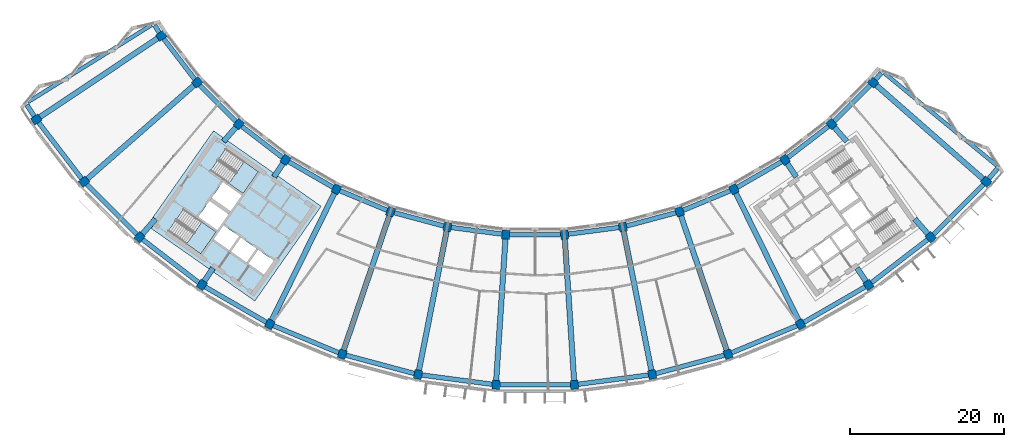
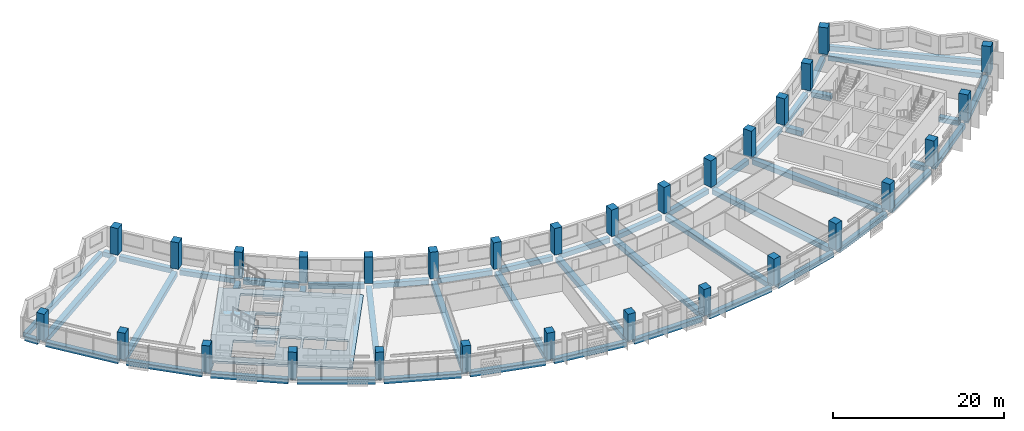
# One storey, part 1 of 27: 53 beams, 30 columns, 3 slabs, 2 elements without a shape of their own.
"""IFC4 building model written with IfcOpenShell, lengths in metres."""

from ifc_helpers import new_model, si_unit, direction, frame, origin, origin_2d, place, context, subcontext, project, spatial, polyline, rectangle, outline, extrude, material, layer, layer_set, material_profile, profile_set, type_object, element, aggregate, save


model = new_model("IFC4")

# Units and contexts
model_context = context("Model", 3, precision=1e-05, world=origin(), true_north=direction((0.0, 1.0)))
body_context = subcontext(model_context, "Body", "Model", "MODEL_VIEW")
ifc_project = project(units=[si_unit("LENGTHUNIT", "METRE"), si_unit("AREAUNIT", "SQUARE_METRE"), si_unit("VOLUMEUNIT", "CUBIC_METRE"), si_unit("PLANEANGLEUNIT", "RADIAN"), si_unit("MASSUNIT", "GRAM", prefix="KILO")], contexts=[model_context])

# Site, building, storey
site_placement = place(None, origin())
site = spatial("IfcSite", under=ifc_project, at=site_placement, CompositionType="ELEMENT")
building_placement = place(site_placement, origin())
building = spatial("IfcBuilding", under=site, at=building_placement, Name="Qamariyya Broadcast Tower", CompositionType="ELEMENT")
storey_placement = place(building_placement, frame((0.0, 0.0, 222.699951171875)))
storey = spatial("IfcBuildingStorey", under=building, at=storey_placement, Name="L53", CompositionType="ELEMENT", Elevation=222.699951171875)

# Columns
ifc_material_1 = material(Name="Concrete C60/75", Category="concrete")
ifc_material_profile_1 = material_profile(ifc_material_1, rectangle(XDim=1.0, YDim=1.14990234375, at=origin_2d()))
ifc_profile_set_1 = profile_set([ifc_material_profile_1], Name="Concrete C60/75")
column_type = type_object("IfcColumnType", Name="RC column 1000 x 1150 C60/75", PredefinedType="COLUMN", material=ifc_profile_set_1)
for number, where, z_axis, x_axis, name in (
    (1, (-48.43310546875, -32.362060546875, 0.0), (0.0, 0.0, 1.0), (0.55557023302, -0.831469612303, 0.0), "Column C11 L53 B-R03"),
    (2, (-64.646728515625, -43.195556640625, 0.0), (0.0, 0.0, 1.0), (0.55557023302, -0.831469612303, 0.0), "Column C11 L53 C-R03"),
    (3, (-43.794677734375, -38.406982421875, 0.0), (0.0, 0.0, 1.0), (0.6593458151, -0.751839807479, 0.0), "Column C11 L53 B-R04"),
    (4, (-58.45556640625, -51.26416015625, 0.0), (0.0, 0.0, 1.0), (0.6593458151, -0.751839807479, 0.0), "Column C11 L53 C-R04"),
    (5, (-38.406982421875, -43.794677734375, 0.0), (0.0, 0.0, 1.0), (0.751839807479, -0.6593458151, 0.0), "Column C11 L53 B-R05"),
    (6, (-51.26416015625, -58.45556640625, 0.0), (0.0, 0.0, 1.0), (0.751839807479, -0.6593458151, 0.0), "Column C11 L53 C-R05"),
    (7, (-32.362060546875, -48.43310546875, 0.0), (0.0, 0.0, 1.0), (0.831469612303, -0.55557023302, 0.0), "Column C11 L53 B-R06"),
    (8, (-43.195556640625, -64.646728515625, 0.0), (0.0, 0.0, 1.0), (0.831469612303, -0.55557023302, 0.0), "Column C11 L53 C-R06"),
    (9, (-25.763427734375, -52.242919921875, 0.0), (0.0, 0.0, 1.0), (0.896872741533, -0.442288690219, 0.0), "Column C11 L53 B-R07"),
    (10, (-34.387939453125, -69.73193359375, 0.0), (0.0, 0.0, 1.0), (0.896872741533, -0.442288690219, 0.0), "Column C11 L53 C-R07"),
    (11, (-18.723876953125, -55.15869140625, 0.0), (0.0, 0.0, 1.0), (0.946930129495, -0.321439465303, 0.0), "Column C11 L53 B-R08"),
    (12, (-24.991943359375, -73.623779296875, 0.0), (0.0, 0.0, 1.0), (0.946930129495, -0.321439465303, 0.0), "Column C11 L53 C-R08"),
    (13, (-11.364013671875, -57.130859375, 0.0), (0.0, 0.0, 1.0), (0.980785280403, -0.195090322016, 0.0), "Column C11 L53 B-R09"),
    (14, (-15.168212890625, -76.256103515625, 0.0), (0.0, 0.0, 1.0), (0.980785280403, -0.195090322016, 0.0), "Column C11 L53 C-R09"),
    (15, (-3.809814453125, -58.125244140625, 0.0), (0.0, 0.0, 1.0), (0.997858923239, -0.06540312923, 0.0), "Column C11 L53 B-R10"),
    (16, (-5.085205078125, -77.58349609375, 0.0), (0.0, 0.0, 1.0), (0.997858923239, -0.06540312923, 0.0), "Column C11 L53 C-R10"),
    (17, (3.809814453125, -58.125244140625, 0.0), (0.0, 0.0, 1.0), (0.997858923239, 0.06540312923, 0.0), "Column C11 L53 B-R11"),
    (18, (5.085205078125, -77.58349609375, 0.0), (0.0, 0.0, 1.0), (0.997858923239, 0.06540312923, 0.0), "Column C11 L53 C-R11"),
    (19, (11.364013671875, -57.130859375, 0.0), (0.0, 0.0, 1.0), (0.980785280403, 0.195090322016, 0.0), "Column C11 L53 B-R12"),
    (20, (15.168212890625, -76.256103515625, 0.0), (0.0, 0.0, 1.0), (0.980785280403, 0.195090322016, 0.0), "Column C11 L53 C-R12"),
    (21, (18.723876953125, -55.15869140625, 0.0), (0.0, 0.0, 1.0), (0.946930129495, 0.321439465303, 0.0), "Column C11 L53 B-R13"),
    (22, (24.991943359375, -73.623779296875, 0.0), (0.0, 0.0, 1.0), (0.946930129495, 0.321439465303, 0.0), "Column C11 L53 C-R13"),
    (23, (25.763427734375, -52.242919921875, 0.0), (0.0, 0.0, 1.0), (0.896872741533, 0.442288690219, 0.0), "Column C11 L53 B-R14"),
    (24, (34.387939453125, -69.73193359375, 0.0), (0.0, 0.0, 1.0), (0.896872741533, 0.442288690219, 0.0), "Column C11 L53 C-R14"),
    (25, (32.362060546875, -48.43310546875, 0.0), (0.0, 0.0, 1.0), (0.831469612303, 0.55557023302, 0.0), "Column C11 L53 B-R15"),
    (26, (43.195556640625, -64.646728515625, 0.0), (0.0, 0.0, 1.0), (0.831469612303, 0.55557023302, 0.0), "Column C11 L53 C-R15"),
    (27, (38.406982421875, -43.794677734375, 0.0), (0.0, 0.0, 1.0), (0.751839807479, 0.6593458151, 0.0), "Column C11 L53 B-R16"),
    (28, (51.26416015625, -58.45556640625, 0.0), (0.0, 0.0, 1.0), (0.751839807479, 0.6593458151, 0.0), "Column C11 L53 C-R16"),
    (29, (43.794677734375, -38.406982421875, 0.0), (0.0, 0.0, 1.0), (0.6593458151, 0.751839807479, 0.0), "Column C11 L53 B-R17"),
    (30, (58.45556640625, -51.26416015625, 0.0), (0.0, 0.0, 1.0), (0.6593458151, 0.751839807479, 0.0), "Column C11 L53 C-R17"),
):
    element("IfcColumn", number, at=place(storey_placement, frame(where, z_axis=z_axis, x_axis=x_axis)), inside=storey, type_object=column_type, Name=name, PredefinedType="COLUMN", context=body_context, shape_type="SweptSolid", body=[
        extrude(rectangle(XDim=1.0, YDim=1.14990234375, at=origin_2d()), origin(), (0.0, 0.0, 1.0), 3.800048828125),
    ])

# Beams
ifc_material_2 = material(Name="Concrete C40/50", Category="concrete")
ifc_material_profile_2 = material_profile(ifc_material_2, rectangle(XDim=0.60009765625, YDim=0.699951171875, at=origin_2d()))
ifc_profile_set_2 = profile_set([ifc_material_profile_2], Name="Concrete C40/50")
beam_type_1 = type_object("IfcBeamType", Name="RC edge beam 600 x 700 C40/50", PredefinedType="SPANDREL", material=ifc_profile_set_2)
for number, where, z_axis, x_axis, name in (
    (31, (-48.128173828125, -32.759521484375, -0.64990234375), (0.608788546151, -0.79333253184, 0.0), (0.79333253184, 0.608788546151, 0.0), "Edge beam B20 L53 B R03-R04"),
    (32, (-43.4404296875, -38.76123046875, -0.64990234375), (0.707106781187, -0.707106781187, 0.0), (0.707106781187, 0.707106781187, 0.0), "Edge beam B20 L53 B R04-R05"),
    (33, (-38.00927734375, -44.099609375, -0.64990234375), (0.79333253184, -0.608788546151, 0.0), (0.608788546151, 0.79333253184, 0.0), "Edge beam B20 L53 B R05-R06"),
):
    element("IfcBeam", number, at=place(storey_placement, frame(where, z_axis=z_axis, x_axis=x_axis)), inside=storey, type_object=beam_type_1, Name=name, PredefinedType="SPANDREL", context=body_context, shape_type="SweptSolid", body=[
        extrude(rectangle(XDim=0.60009765625, YDim=0.699951171875, at=origin_2d()), origin(), (0.0, 0.0, 1.0), 6.617431640625),
    ])
for number, where, z_axis, x_axis, name in (
    (34, (-31.927978515625, -48.68359375, -0.64990234375), (0.866027686223, -0.499996046679, 0.0), (0.499996046679, 0.866027686223, 0.0), "Edge beam B20 L53 B R06-R07"),
    (35, (-25.30029296875, -52.4345703125, -0.64990234375), (0.923870685948, -0.382704789159, 0.0), (0.382704789159, 0.923870685948, 0.0), "Edge beam B20 L53 B R07-R08"),
):
    element("IfcBeam", number, at=place(storey_placement, frame(where, z_axis=z_axis, x_axis=x_axis)), inside=storey, type_object=beam_type_1, Name=name, PredefinedType="SPANDREL", context=body_context, shape_type="SweptSolid", body=[
        extrude(rectangle(XDim=0.60009765625, YDim=0.699951171875, at=origin_2d()), origin(), (0.0, 0.0, 1.0), 6.6171875),
    ])
for number, where, z_axis, x_axis, name in (
    (36, (-18.23974609375, -55.288330078125, -0.64990234375), (0.965927466282, -0.258812924486, 0.0), (0.258812924486, 0.965927466282, 0.0), "Edge beam B20 L53 B R08-R09"),
    (37, (-10.8671875, -57.196044921875, -0.64990234375), (0.991444372314, -0.130529906942, 0.0), (0.130529906942, 0.991444372314, 0.0), "Edge beam B20 L53 B R09-R10"),
):
    element("IfcBeam", number, at=place(storey_placement, frame(where, z_axis=z_axis, x_axis=x_axis)), inside=storey, type_object=beam_type_1, Name=name, PredefinedType="SPANDREL", context=body_context, shape_type="SweptSolid", body=[
        extrude(rectangle(XDim=0.60009765625, YDim=0.699951171875, at=origin_2d()), origin(), (0.0, 0.0, 1.0), 6.617431640625),
    ])
beam_1_placement = place(storey_placement, frame((-3.30859375, -58.125244140625, -0.64990234375), z_axis=(1.0, 0.0, 0.0), x_axis=(0.0, 1.0, 0.0)))
element("IfcBeam", 38, at=beam_1_placement, inside=storey, type_object=beam_type_1, Name="Edge beam B20 L53 B R10-R11", PredefinedType="SPANDREL", context=body_context, shape_type="SweptSolid", body=[
    extrude(rectangle(XDim=0.60009765625, YDim=0.699951171875, at=origin_2d()), origin(), (0.0, 0.0, 1.0), 6.6171875),
])
for number, where, z_axis, x_axis, name in (
    (39, (4.306396484375, -58.059814453125, -0.64990234375), (0.991444372314, 0.130529906942, 0.0), (-0.130529906942, 0.991444372314, 0.0), "Edge beam B20 L53 B R11-R12"),
    (40, (11.847900390625, -57.0009765625, -0.64990234375), (0.965927466282, 0.258812924486, 0.0), (-0.258812924486, 0.965927466282, 0.0), "Edge beam B20 L53 B R12-R13"),
):
    element("IfcBeam", number, at=place(storey_placement, frame(where, z_axis=z_axis, x_axis=x_axis)), inside=storey, type_object=beam_type_1, Name=name, PredefinedType="SPANDREL", context=body_context, shape_type="SweptSolid", body=[
        extrude(rectangle(XDim=0.60009765625, YDim=0.699951171875, at=origin_2d()), origin(), (0.0, 0.0, 1.0), 6.617431640625),
    ])
for number, where, z_axis, x_axis, name in (
    (41, (19.186767578125, -54.967041015625, -0.64990234375), (0.923870685948, 0.382704789159, 0.0), (-0.382704789159, 0.923870685948, 0.0), "Edge beam B20 L53 B R13-R14"),
    (42, (26.197265625, -51.9921875, -0.64990234375), (0.866027686223, 0.499996046679, 0.0), (-0.499996046679, 0.866027686223, 0.0), "Edge beam B20 L53 B R14-R15"),
):
    element("IfcBeam", number, at=place(storey_placement, frame(where, z_axis=z_axis, x_axis=x_axis)), inside=storey, type_object=beam_type_1, Name=name, PredefinedType="SPANDREL", context=body_context, shape_type="SweptSolid", body=[
        extrude(rectangle(XDim=0.60009765625, YDim=0.699951171875, at=origin_2d()), origin(), (0.0, 0.0, 1.0), 6.6171875),
    ])
for number, where, z_axis, x_axis, name in (
    (43, (32.759521484375, -48.128173828125, -0.64990234375), (0.79333253184, 0.608788546151, 0.0), (-0.608788546151, 0.79333253184, 0.0), "Edge beam B20 L53 B R15-R16"),
    (44, (38.76123046875, -43.4404296875, -0.64990234375), (0.707106781187, 0.707106781187, 0.0), (-0.707106781187, 0.707106781187, 0.0), "Edge beam B20 L53 B R16-R17"),
):
    element("IfcBeam", number, at=place(storey_placement, frame(where, z_axis=z_axis, x_axis=x_axis)), inside=storey, type_object=beam_type_1, Name=name, PredefinedType="SPANDREL", context=body_context, shape_type="SweptSolid", body=[
        extrude(rectangle(XDim=0.60009765625, YDim=0.699951171875, at=origin_2d()), origin(), (0.0, 0.0, 1.0), 6.617431640625),
    ])
for number, where, z_axis, x_axis, name in (
    (45, (-64.341796875, -43.593017578125, -0.64990234375), (0.608761882331, -0.793352992445, 0.0), (0.793352992445, 0.608761882331, 0.0), "Edge beam B20 L53 C R03-R04"),
    (46, (-58.101318359375, -51.618408203125, -0.64990234375), (0.707106781187, -0.707106781187, 0.0), (0.707106781187, 0.707106781187, 0.0), "Edge beam B20 L53 C R04-R05"),
    (47, (-50.86669921875, -58.760498046875, -0.64990234375), (0.793352992445, -0.608761882331, 0.0), (0.608761882331, 0.793352992445, 0.0), "Edge beam B20 L53 C R05-R06"),
    (48, (-42.76171875, -64.897216796875, -0.64990234375), (0.866032154434, -0.49998830735, 0.0), (0.49998830735, 0.866032154434, 0.0), "Edge beam B20 L53 C R06-R07"),
    (49, (-33.925048828125, -69.923583984375, -0.64990234375), (0.923876946533, -0.382689675409, 0.0), (0.382689675409, 0.923876946533, 0.0), "Edge beam B20 L53 C R07-R08"),
):
    element("IfcBeam", number, at=place(storey_placement, frame(where, z_axis=z_axis, x_axis=x_axis)), inside=storey, type_object=beam_type_1, Name=name, PredefinedType="SPANDREL", context=body_context, shape_type="SweptSolid", body=[
        extrude(rectangle(XDim=0.60009765625, YDim=0.699951171875, at=origin_2d()), origin(), (0.0, 0.0, 1.0), 9.168212890625),
    ])
for number, where, z_axis, x_axis, name in (
    (50, (-24.5078125, -73.75341796875, -0.64990234375), (0.965919522093, -0.258842571536, 0.0), (0.258842571536, 0.965919522093, 0.0), "Edge beam B20 L53 C R08-R09"),
    (51, (-14.67138671875, -76.321533203125, -0.64990234375), (0.991446770895, -0.130511687147, 0.0), (0.130511687147, 0.991446770895, 0.0), "Edge beam B20 L53 C R09-R10"),
    (52, (-4.583984375, -77.58349609375, -0.64990234375), (1.0, 0.0, 0.0), (0.0, 1.0, 0.0), "Edge beam B20 L53 C R10-R11"),
    (53, (5.581787109375, -77.51806640625, -0.64990234375), (0.991446770895, 0.130511687147, 0.0), (-0.130511687147, 0.991446770895, 0.0), "Edge beam B20 L53 C R11-R12"),
    (54, (15.65234375, -76.12646484375, -0.64990234375), (0.965919522093, 0.258842571536, 0.0), (-0.258842571536, 0.965919522093, 0.0), "Edge beam B20 L53 C R12-R13"),
):
    element("IfcBeam", number, at=place(storey_placement, frame(where, z_axis=z_axis, x_axis=x_axis)), inside=storey, type_object=beam_type_1, Name=name, PredefinedType="SPANDREL", context=body_context, shape_type="SweptSolid", body=[
        extrude(rectangle(XDim=0.60009765625, YDim=0.699951171875, at=origin_2d()), origin(), (0.0, 0.0, 1.0), 9.16796875),
    ])
for number, where, z_axis, x_axis, name in (
    (55, (25.454833984375, -73.43212890625, -0.64990234375), (0.923876946533, 0.382689675409, 0.0), (-0.382689675409, 0.923876946533, 0.0), "Edge beam B20 L53 C R13-R14"),
    (56, (34.82177734375, -69.481201171875, -0.64990234375), (0.866032154434, 0.49998830735, 0.0), (-0.49998830735, 0.866032154434, 0.0), "Edge beam B20 L53 C R14-R15"),
    (57, (43.593017578125, -64.341796875, -0.64990234375), (0.793352992445, 0.608761882331, 0.0), (-0.608761882331, 0.793352992445, 0.0), "Edge beam B20 L53 C R15-R16"),
    (58, (51.618408203125, -58.101318359375, -0.64990234375), (0.707106781187, 0.707106781187, 0.0), (-0.707106781187, 0.707106781187, 0.0), "Edge beam B20 L53 C R16-R17"),
):
    element("IfcBeam", number, at=place(storey_placement, frame(where, z_axis=z_axis, x_axis=x_axis)), inside=storey, type_object=beam_type_1, Name=name, PredefinedType="SPANDREL", context=body_context, shape_type="SweptSolid", body=[
        extrude(rectangle(XDim=0.60009765625, YDim=0.699951171875, at=origin_2d()), origin(), (0.0, 0.0, 1.0), 9.168212890625),
    ])
ifc_material_profile_3 = material_profile(ifc_material_2, rectangle(XDim=0.60009765625, YDim=0.699951171875, at=origin_2d()))
ifc_profile_set_3 = profile_set([ifc_material_profile_3], Name="Concrete C40/50")
beam_type_2 = type_object("IfcBeamType", Name="RC horn beam 600 x 700 C40/50", PredefinedType="BEAM", material=ifc_profile_set_3)
beam_2_placement = place(storey_placement, frame((-48.704345703125, -31.94189453125, -0.64990234375), z_axis=(-0.542076880663, 0.840328897189, 0.0), x_axis=(-0.840328897189, -0.542076880663, 0.0)))
element("IfcBeam", 59, at=beam_2_placement, inside=storey, type_object=beam_type_2, Name="Horn beam B19 L53 W B-R03", PredefinedType="BEAM", context=body_context, shape_type="SweptSolid", body=[
    extrude(rectangle(XDim=0.60009765625, YDim=0.699951171875, at=origin_2d()), origin(), (0.0, 0.0, 1.0), 1.112548828125),
])
beam_3_placement = place(storey_placement, frame((-64.91796875, -42.775390625, -0.64990234375), z_axis=(-0.542206958464, 0.840244972727, 0.0), x_axis=(-0.840244972727, -0.542206958464, 0.0)))
element("IfcBeam", 60, at=beam_3_placement, inside=storey, type_object=beam_type_2, Name="Horn beam B19 L53 W C-R03", PredefinedType="BEAM", context=body_context, shape_type="SweptSolid", body=[
    extrude(rectangle(XDim=0.60009765625, YDim=0.699951171875, at=origin_2d()), origin(), (0.0, 0.0, 1.0), 1.73583984375),
])
beam_4_placement = place(storey_placement, frame((44.118408203125, -38.025634765625, -0.64990234375), z_axis=(0.647259698617, 0.762269560291, 0.0), x_axis=(-0.762269560291, 0.647259698617, 0.0)))
element("IfcBeam", 61, at=beam_4_placement, inside=storey, type_object=beam_type_2, Name="Horn beam B19 L53 E B-R17", PredefinedType="BEAM", context=body_context, shape_type="SweptSolid", body=[
    extrude(rectangle(XDim=0.60009765625, YDim=0.699951171875, at=origin_2d()), origin(), (0.0, 0.0, 1.0), 1.1123046875),
])
beam_5_placement = place(storey_placement, frame((58.779296875, -50.883056640625, -0.64990234375), z_axis=(0.647158337806, 0.762355616368, 0.0), x_axis=(-0.762355616368, 0.647158337806, 0.0)))
element("IfcBeam", 62, at=beam_5_placement, inside=storey, type_object=beam_type_2, Name="Horn beam B19 L53 E C-R17", PredefinedType="BEAM", context=body_context, shape_type="SweptSolid", body=[
    extrude(rectangle(XDim=0.60009765625, YDim=0.699951171875, at=origin_2d()), origin(), (0.0, 0.0, 1.0), 1.73583984375),
])
ifc_material_profile_4 = material_profile(ifc_material_2, rectangle(XDim=0.5, YDim=0.699951171875, at=origin_2d()))
ifc_profile_set_4 = profile_set([ifc_material_profile_4], Name="Concrete C40/50")
beam_type_3 = type_object("IfcBeamType", Name="RC horn cap beam 500 x 700 C40/50", PredefinedType="BEAM", material=ifc_profile_set_4)
for number, where, z_axis, x_axis, name in (
    (63, (-49.697509765625, -30.955810546875, -0.64990234375), (-0.848808645241, -0.528700183246, 0.0), (0.528700183246, -0.848808645241, 0.0), "Horn cap beam B21 L53 W B-C"),
    (64, (45.23193359375, -37.177734375, -0.64990234375), (0.77253320347, -0.634974369196, 0.0), (0.634974369196, 0.77253320347, 0.0), "Horn cap beam B21 L53 E B-C"),
):
    element("IfcBeam", number, at=place(storey_placement, frame(where, z_axis=z_axis, x_axis=x_axis)), inside=storey, type_object=beam_type_3, Name=name, PredefinedType="BEAM", context=body_context, shape_type="SweptSolid", body=[
        extrude(rectangle(XDim=0.5, YDim=0.699951171875, at=origin_2d()), origin(), (0.0, 0.0, 1.0), 18.89990234375),
    ])
ifc_material_profile_5 = material_profile(ifc_material_2, rectangle(XDim=0.699951171875, YDim=0.699951171875, at=origin_2d()))
ifc_profile_set_5 = profile_set([ifc_material_profile_5], Name="Concrete C40/50")
beam_type_4 = type_object("IfcBeamType", Name="RC radial beam 700 x 700 C40/50", PredefinedType="BEAM", material=ifc_profile_set_5)
beam_6_placement = place(storey_placement, frame((-48.9111328125, -32.681396484375, -0.64990234375), z_axis=(-0.831468530479, -0.55557185208, 0.0), x_axis=(0.55557185208, -0.831468530479, 0.0)))
element("IfcBeam", 65, at=beam_6_placement, inside=storey, type_object=beam_type_4, Name="Radial beam B18 L53 R03 B-C", PredefinedType="BEAM", context=body_context, shape_type="SweptSolid", body=[
    extrude(rectangle(XDim=0.699951171875, YDim=0.699951171875, at=origin_2d()), origin(), (0.0, 0.0, 1.0), 18.35009765625),
])
beam_7_placement = place(storey_placement, frame((-44.22705078125, -38.7861328125, -0.64990234375), z_axis=(-0.751840222646, -0.659345341692, 0.0), x_axis=(0.659345341692, -0.751840222646, 0.0)))
element("IfcBeam", 66, at=beam_7_placement, inside=storey, type_object=beam_type_4, Name="Radial beam B18 L53 R04 B-C", PredefinedType="BEAM", context=body_context, shape_type="SweptSolid", body=[
    extrude(rectangle(XDim=0.699951171875, YDim=0.699951171875, at=origin_2d()), origin(), (0.0, 0.0, 1.0), 18.349853515625),
])
beam_8_placement = place(storey_placement, frame((-38.7861328125, -44.22705078125, -0.64990234375), z_axis=(-0.659347500472, -0.751838329444, 0.0), x_axis=(0.751838329444, -0.659347500472, 0.0)))
element("IfcBeam", 67, at=beam_8_placement, inside=storey, type_object=beam_type_4, Name="Radial beam B18 L53 R05 B-C", PredefinedType="BEAM", context=body_context, shape_type="SweptSolid", body=[
    extrude(rectangle(XDim=0.699951171875, YDim=0.699951171875, at=origin_2d()), origin(), (0.0, 0.0, 1.0), 2.43896484375),
])
beam_9_placement = place(storey_placement, frame((-49.1943359375, -56.095458984375, -0.64990234375), z_axis=(-0.65936701245, -0.751821217373, 0.0), x_axis=(0.751821217373, -0.65936701245, 0.0)))
element("IfcBeam", 68, at=beam_9_placement, inside=storey, type_object=beam_type_4, Name="Radial beam B18 L53 R05 B-C", PredefinedType="BEAM", context=body_context, shape_type="SweptSolid", body=[
    extrude(rectangle(XDim=0.699951171875, YDim=0.699951171875, at=origin_2d()), origin(), (0.0, 0.0, 1.0), 2.56396484375),
])
beam_10_placement = place(storey_placement, frame((-32.681396484375, -48.9111328125, -0.64990234375), z_axis=(-0.555589685374, -0.831456614326, 0.0), x_axis=(0.831456614326, -0.555589685374, 0.0)))
element("IfcBeam", 69, at=beam_10_placement, inside=storey, type_object=beam_type_4, Name="Radial beam B18 L53 R06 B-C", PredefinedType="BEAM", context=body_context, shape_type="SweptSolid", body=[
    extrude(rectangle(XDim=0.699951171875, YDim=0.699951171875, at=origin_2d()), origin(), (0.0, 0.0, 1.0), 2.08935546875),
])
beam_11_placement = place(storey_placement, frame((-41.733154296875, -62.458251953125, -0.64990234375), z_axis=(-0.555630982199, -0.831429017788, 0.0), x_axis=(0.831429017788, -0.555630982199, 0.0)))
element("IfcBeam", 70, at=beam_11_placement, inside=storey, type_object=beam_type_4, Name="Radial beam B18 L53 R06 B-C", PredefinedType="BEAM", context=body_context, shape_type="SweptSolid", body=[
    extrude(rectangle(XDim=0.699951171875, YDim=0.699951171875, at=origin_2d()), origin(), (0.0, 0.0, 1.0), 2.05712890625),
])
beam_12_placement = place(storey_placement, frame((-26.017578125, -52.758544921875, -0.64990234375), z_axis=(-0.442289405452, -0.896872388819, 0.0), x_axis=(0.896872388819, -0.442289405452, 0.0)))
element("IfcBeam", 71, at=beam_12_placement, inside=storey, type_object=beam_type_4, Name="Radial beam B18 L53 R07 B-C", PredefinedType="BEAM", context=body_context, shape_type="SweptSolid", body=[
    extrude(rectangle(XDim=0.699951171875, YDim=0.699951171875, at=origin_2d()), origin(), (0.0, 0.0, 1.0), 18.349853515625),
])
for number, where, z_axis, x_axis, name in (
    (72, (-18.90869140625, -55.703125, -0.64990234375), (-0.321439728167, -0.946930040265, 0.0), (0.946930040265, -0.321439728167, 0.0), "Radial beam B18 L53 R08 B-C"),
    (73, (-11.47607421875, -57.694580078125, -0.64990234375), (-0.195097720648, -0.980783808695, 0.0), (0.980783808695, -0.195097720648, 0.0), "Radial beam B18 L53 R09 B-C"),
    (74, (-3.847412109375, -58.698974609375, -0.64990234375), (-0.065405444204, -0.997858771505, 0.0), (0.997858771505, -0.065405444204, 0.0), "Radial beam B18 L53 R10 B-C"),
    (75, (3.847412109375, -58.698974609375, -0.64990234375), (0.065405444204, -0.997858771505, 0.0), (0.997858771505, 0.065405444204, 0.0), "Radial beam B18 L53 R11 B-C"),
    (76, (11.47607421875, -57.694580078125, -0.64990234375), (0.195097720648, -0.980783808695, 0.0), (0.980783808695, 0.195097720648, 0.0), "Radial beam B18 L53 R12 B-C"),
    (77, (18.90869140625, -55.703125, -0.64990234375), (0.321439728167, -0.946930040265, 0.0), (0.946930040265, 0.321439728167, 0.0), "Radial beam B18 L53 R13 B-C"),
):
    element("IfcBeam", number, at=place(storey_placement, frame(where, z_axis=z_axis, x_axis=x_axis)), inside=storey, type_object=beam_type_4, Name=name, PredefinedType="BEAM", context=body_context, shape_type="SweptSolid", body=[
        extrude(rectangle(XDim=0.699951171875, YDim=0.699951171875, at=origin_2d()), origin(), (0.0, 0.0, 1.0), 18.35009765625),
    ])
beam_13_placement = place(storey_placement, frame((26.017578125, -52.758544921875, -0.64990234375), z_axis=(0.442289405452, -0.896872388819, 0.0), x_axis=(0.896872388819, 0.442289405452, 0.0)))
element("IfcBeam", 78, at=beam_13_placement, inside=storey, type_object=beam_type_4, Name="Radial beam B18 L53 R14 B-C", PredefinedType="BEAM", context=body_context, shape_type="SweptSolid", body=[
    extrude(rectangle(XDim=0.699951171875, YDim=0.699951171875, at=origin_2d()), origin(), (0.0, 0.0, 1.0), 18.349853515625),
])
beam_14_placement = place(storey_placement, frame((32.681396484375, -48.9111328125, -0.64990234375), z_axis=(0.555589685374, -0.831456614326, 0.0), x_axis=(0.831456614326, 0.555589685374, 0.0)))
element("IfcBeam", 79, at=beam_14_placement, inside=storey, type_object=beam_type_4, Name="Radial beam B18 L53 R15 B-C", PredefinedType="BEAM", context=body_context, shape_type="SweptSolid", body=[
    extrude(rectangle(XDim=0.699951171875, YDim=0.699951171875, at=origin_2d()), origin(), (0.0, 0.0, 1.0), 2.08935546875),
])
beam_15_placement = place(storey_placement, frame((41.733154296875, -62.458251953125, -0.64990234375), z_axis=(0.555630982199, -0.831429017788, 0.0), x_axis=(0.831429017788, 0.555630982199, 0.0)))
element("IfcBeam", 80, at=beam_15_placement, inside=storey, type_object=beam_type_4, Name="Radial beam B18 L53 R15 B-C", PredefinedType="BEAM", context=body_context, shape_type="SweptSolid", body=[
    extrude(rectangle(XDim=0.699951171875, YDim=0.699951171875, at=origin_2d()), origin(), (0.0, 0.0, 1.0), 2.05712890625),
])
beam_16_placement = place(storey_placement, frame((38.7861328125, -44.22705078125, -0.64990234375), z_axis=(0.659347500472, -0.751838329444, 0.0), x_axis=(0.751838329444, 0.659347500472, 0.0)))
element("IfcBeam", 81, at=beam_16_placement, inside=storey, type_object=beam_type_4, Name="Radial beam B18 L53 R16 B-C", PredefinedType="BEAM", context=body_context, shape_type="SweptSolid", body=[
    extrude(rectangle(XDim=0.699951171875, YDim=0.699951171875, at=origin_2d()), origin(), (0.0, 0.0, 1.0), 2.43896484375),
])
beam_17_placement = place(storey_placement, frame((49.1943359375, -56.095458984375, -0.64990234375), z_axis=(0.65936701245, -0.751821217373, 0.0), x_axis=(0.751821217373, 0.65936701245, 0.0)))
element("IfcBeam", 82, at=beam_17_placement, inside=storey, type_object=beam_type_4, Name="Radial beam B18 L53 R16 B-C", PredefinedType="BEAM", context=body_context, shape_type="SweptSolid", body=[
    extrude(rectangle(XDim=0.699951171875, YDim=0.699951171875, at=origin_2d()), origin(), (0.0, 0.0, 1.0), 2.56396484375),
])
beam_18_placement = place(storey_placement, frame((44.22705078125, -38.7861328125, -0.64990234375), z_axis=(0.751840222646, -0.659345341692, 0.0), x_axis=(0.659345341692, 0.751840222646, 0.0)))
element("IfcBeam", 83, at=beam_18_placement, inside=storey, type_object=beam_type_4, Name="Radial beam B18 L53 R17 B-C", PredefinedType="BEAM", context=body_context, shape_type="SweptSolid", body=[
    extrude(rectangle(XDim=0.699951171875, YDim=0.699951171875, at=origin_2d()), origin(), (0.0, 0.0, 1.0), 18.349853515625),
])

# Slab
ifc_layer_1 = layer(ifc_material_2, 0.300048828125)
ifc_layer_set_1 = layer_set([ifc_layer_1], Name="Core floor slab 300 mm Concrete C40/50")
slab_type_1 = type_object("IfcSlabType", Name="Core floor slab 300 mm Concrete C40/50", PredefinedType="FLOOR", material=ifc_layer_set_1)
slab_1_placement = place(storey_placement, frame((0.0, 0.0, -0.300048828125)))
element("IfcSlab", 84, at=slab_1_placement, inside=storey, type_object=slab_type_1, Name="k-W-L53-slab", PredefinedType="FLOOR", context=body_context, shape_type="SweptSolid", body=[
    extrude(outline(polyline([(-50.286376953125, -56.95751953125), (-36.32373046875, -66.734375), (-27.719970703125, -54.447021484375), (-41.6826171875, -44.67041015625), (-50.286376953125, -56.95751953125)]), holes=[polyline([(-33.87353515625, -61.49169921875), (-35.88037109375, -60.08642578125), (-37.142333984375, -61.888427734375), (-35.13525390625, -63.293701171875), (-33.87353515625, -61.49169921875)]), polyline([(-36.126220703125, -59.914306640625), (-38.133056640625, -58.509033203125), (-39.394775390625, -60.311279296875), (-37.387939453125, -61.716552734375), (-36.126220703125, -59.914306640625)]), polyline([(-38.378662109375, -58.3369140625), (-40.3857421875, -56.931640625), (-41.6474609375, -58.73388671875), (-39.640625, -60.13916015625), (-38.378662109375, -58.3369140625)]), polyline([(-39.742431640625, -55.489990234375), (-42.199951171875, -53.769287109375), (-43.6337890625, -55.817138671875), (-41.17626953125, -57.537841796875), (-39.742431640625, -55.489990234375)]), polyline([(-39.45556640625, -55.080322265625), (-41.9130859375, -53.359619140625), (-40.47900390625, -51.311767578125), (-38.021728515625, -53.032470703125), (-39.45556640625, -55.080322265625)]), polyline([(-42.06103515625, -49.837890625), (-37.849609375, -52.78662109375), (-35.870849609375, -49.960693359375), (-40.082275390625, -47.01171875), (-42.06103515625, -49.837890625)]), polyline([(-47.538818359375, -57.66064453125), (-43.3271484375, -60.609619140625), (-41.348388671875, -57.783447265625), (-45.559814453125, -54.834716796875), (-47.538818359375, -57.66064453125)])]), origin(), (0.0, 0.0, 1.0), 0.300048828125),
])

# Stair, slab
ifc_material_3 = material(Name="Concrete C50/60", Category="concrete")
stair_type = type_object("IfcStairType", Name="Exit stair 22 risers of 173 mm", PredefinedType="HALF_TURN_STAIR", material=ifc_material_3)
stair_1_placement = place(storey_placement, origin())
stair_1 = element("IfcStair", 85, at=stair_1_placement, inside=storey, type_object=stair_type, Name="L53 Stair W2", PredefinedType="HALF_TURN_STAIR")
ifc_layer_2 = layer(ifc_material_3, 0.199951171875)
ifc_layer_set_2 = layer_set([ifc_layer_2], Name="Stair landing")
slab_type_2 = type_object("IfcSlabType", Name="Stair landing", PredefinedType="LANDING", material=ifc_layer_set_2)
slab_2_placement = place(storey_placement, frame((0.0, 0.0, 1.699951171875)))
slab_2 = element("IfcSlab", 86, at=slab_2_placement, type_object=slab_type_2, Name="ST-W2 landing 1", PredefinedType="LANDING", context=body_context, shape_type="SweptSolid", body=[
    extrude(outline(polyline([(-39.692138671875, -51.49658203125), (-37.849609375, -52.78662109375), (-35.870849609375, -49.960693359375), (-37.71337890625, -48.67041015625), (-39.692138671875, -51.49658203125)])), origin(), (0.0, 0.0, 1.0), 0.2001953125),
])
aggregate(stair_1, [slab_2])

stair_2_placement = place(storey_placement, origin())
stair_2 = element("IfcStair", 87, at=stair_2_placement, inside=storey, type_object=stair_type, Name="L53 Stair W1", PredefinedType="HALF_TURN_STAIR")
slab_3_placement = place(storey_placement, frame((0.0, 0.0, 1.699951171875)))
slab_3 = element("IfcSlab", 88, at=slab_3_placement, type_object=slab_type_2, Name="ST-W1 landing 1", PredefinedType="LANDING", context=body_context, shape_type="SweptSolid", body=[
    extrude(outline(polyline([(-45.169677734375, -59.319580078125), (-43.3271484375, -60.609619140625), (-41.348388671875, -57.783447265625), (-43.19091796875, -56.493408203125), (-45.169677734375, -59.319580078125)])), origin(), (0.0, 0.0, 1.0), 0.2001953125),
])
aggregate(stair_2, [slab_3])

save(model, "model.ifc")
